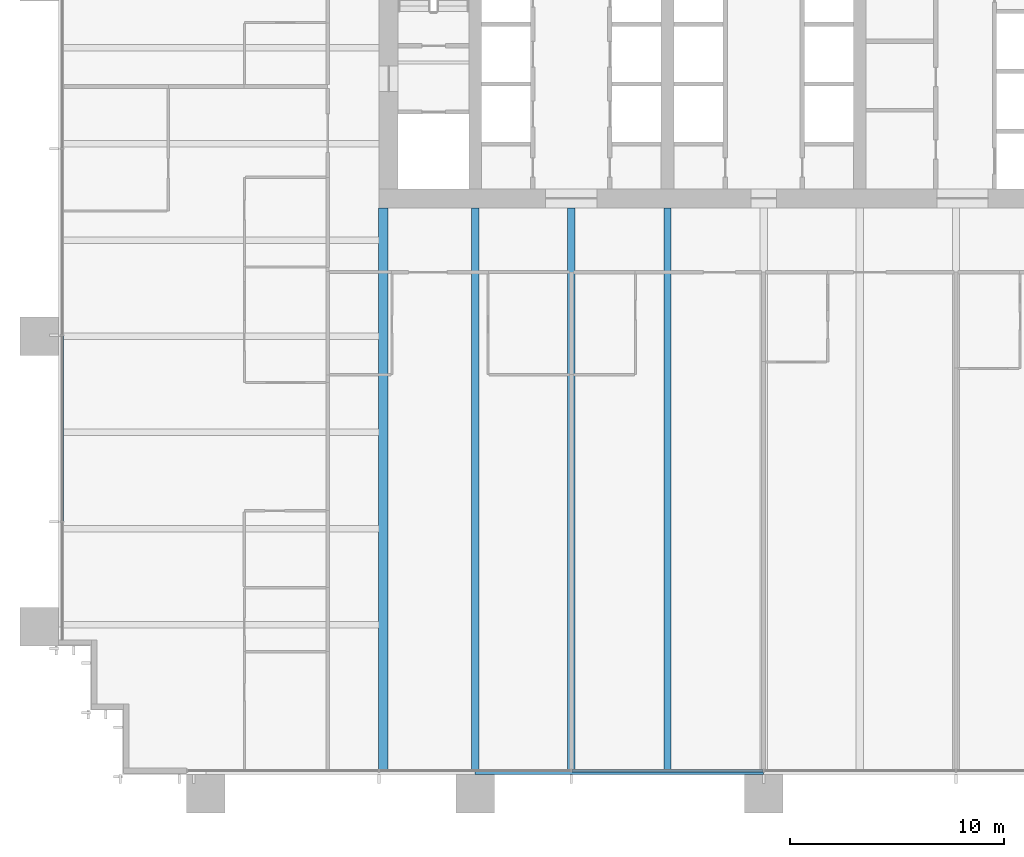
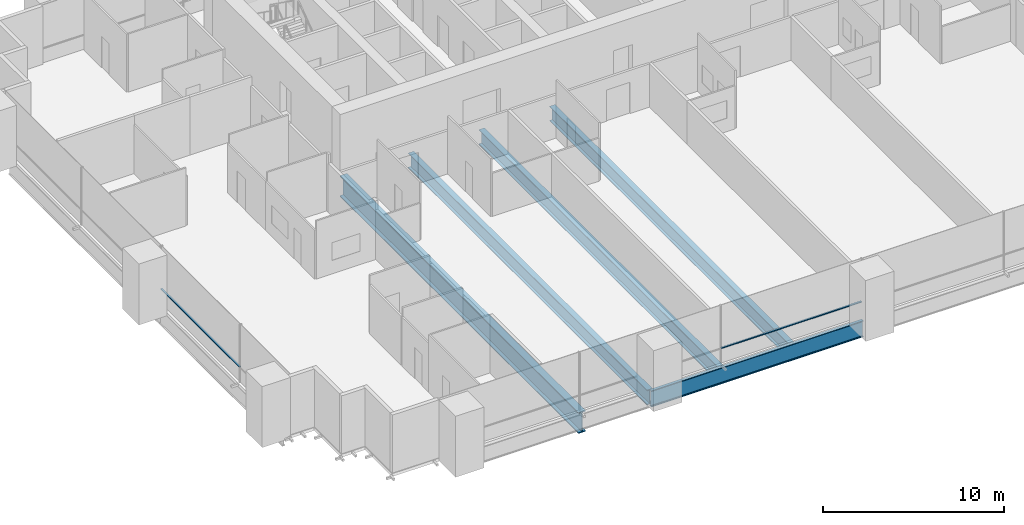
# One storey, part 3 of 18: 5 beams, 2 members, 2 elements without a shape of their own.
"""IFC4 building model written with IfcOpenShell, lengths in metres."""

from ifc_helpers import new_model, si_unit, direction, frame, origin, origin_2d, place, context, subcontext, project, spatial, rectangle, i_section, extrude, material, material_profile, profile_set, type_object, element, aggregate, save


model = new_model("IFC4")

# Units and contexts
model_context = context("Model", 3, precision=1e-05, world=origin(), true_north=direction((0.0, 1.0)))
body_context = subcontext(model_context, "Body", "Model", "MODEL_VIEW")
ifc_project = project(units=[si_unit("LENGTHUNIT", "METRE"), si_unit("AREAUNIT", "SQUARE_METRE"), si_unit("VOLUMEUNIT", "CUBIC_METRE"), si_unit("PLANEANGLEUNIT", "RADIAN"), si_unit("MASSUNIT", "GRAM", prefix="KILO")], contexts=[model_context])

# Site, building, storey
site_placement = place(None, origin())
site = spatial("IfcSite", under=ifc_project, at=site_placement, CompositionType="ELEMENT")
building_placement = place(site_placement, origin())
building = spatial("IfcBuilding", under=site, at=building_placement, Name="Rattan Terrace Tower", CompositionType="ELEMENT")
storey_placement = place(building_placement, frame((0.0, 0.0, 36.5)))
storey = spatial("IfcBuildingStorey", under=building, at=storey_placement, Name="L07", CompositionType="ELEMENT", Elevation=36.5)

# Curtain wall, member
ifc_material_1 = material(Name="Aluminium and glass", Category="aluminium")
curtain_wall_type = type_object("IfcCurtainWallType", Name="Facade Unitised Curtain Wall", PredefinedType="NOTDEFINED", material=ifc_material_1)
curtain_wall_1_placement = place(storey_placement, origin())
curtain_wall_1 = element("IfcCurtainWall", 1, at=curtain_wall_1_placement, inside=storey, type_object=curtain_wall_type, Name="Curtain wall L07-3", PredefinedType="NOTDEFINED")
ifc_material_2 = material(Name="Aluminium", Category="aluminium")
ifc_material_profile_1 = material_profile(ifc_material_2, rectangle(XDim=0.1201171875, YDim=0.06005859375, at=origin_2d()), Name="Aluminium 120x60")
ifc_profile_set_1 = profile_set([ifc_material_profile_1], Name="Aluminium")
member_type = type_object("IfcMemberType", Name="Facade CW Transom 120x60", PredefinedType="USERDEFINED", material=ifc_profile_set_1)
member_1_placement = place(storey_placement, frame((-32.830078125, -13.48388671875, 1.0), z_axis=(0.0, -1.0, 0.0), x_axis=(1.0, 0.0, 0.0)))
member_1 = element("IfcMember", 2, at=member_1_placement, type_object=member_type, Name="Transom cwl-L07-003.3", ObjectType="TRANSOM", PredefinedType="USERDEFINED", context=body_context, shape_type="SweptSolid", body=[
    extrude(rectangle(XDim=0.1201171875, YDim=0.06005859375, at=origin_2d()), origin(), (0.0, 0.0, 1.0), 8.6669921875),
])
aggregate(curtain_wall_1, [member_1])

curtain_wall_2_placement = place(storey_placement, origin())
curtain_wall_2 = element("IfcCurtainWall", 3, at=curtain_wall_2_placement, inside=storey, type_object=curtain_wall_type, Name="Curtain wall L07-4", PredefinedType="NOTDEFINED")
member_2_placement = place(storey_placement, frame((-8.969970703125, -33.830078125, 1.0), z_axis=(1.0, 0.0, 0.0), x_axis=(0.0, 1.0, 0.0)))
member_2 = element("IfcMember", 4, at=member_2_placement, type_object=member_type, Name="Transom cwl-L07-004.3", ObjectType="TRANSOM", PredefinedType="USERDEFINED", context=body_context, shape_type="SweptSolid", body=[
    extrude(rectangle(XDim=0.1201171875, YDim=0.06005859375, at=origin_2d()), origin(), (0.0, 0.0, 1.0), 8.93994140625),
])
aggregate(curtain_wall_2, [member_2])

# Beams
ifc_material_3 = material(Name="Steel S460", Category="steel")
ifc_material_profile_2 = material_profile(ifc_material_3, i_section(OverallWidth=0.449951171875, OverallDepth=1.39990234375, WebThickness=0.02197265625, FlangeThickness=0.054931640625, at=origin_2d()), Name="PG 1400x450-22-55")
ifc_profile_set_2 = profile_set([ifc_material_profile_2], Name="Steel S460")
beam_type_1 = type_object("IfcBeamType", Name="Frame core girder PG 1400x450-22-55", PredefinedType="BEAM", material=ifc_profile_set_2)
beam_1_placement = place(storey_placement, frame((-17.800048828125, -33.820068359375, -0.89990234375), z_axis=(0.0, 1.0, 0.0), x_axis=(-1.0, 0.0, 0.0)))
element("IfcBeam", 5, at=beam_1_placement, inside=storey, type_object=beam_type_1, Name="gdr-L07-013", PredefinedType="BEAM", context=body_context, shape_type="SweptSolid", body=[
    extrude(i_section(OverallWidth=0.449951171875, OverallDepth=1.39990234375, WebThickness=0.02197265625, FlangeThickness=0.054931640625, at=origin_2d()), origin(), (0.0, 0.0, 1.0), 26.320068359375),
])
ifc_material_4 = material(Name="Steel S460", Category="steel")
ifc_material_profile_3 = material_profile(ifc_material_4, i_section(OverallWidth=0.179931640625, OverallDepth=1.10009765625, WebThickness=0.01611328125, FlangeThickness=0.050048828125, at=origin_2d()), Name="PG 1100x180-16-50")
ifc_profile_set_3 = profile_set([ifc_material_profile_3], Name="Steel S460")
beam_type_2 = type_object("IfcBeamType", Name="Frame edge girder PG 1100x180-16-50", PredefinedType="SPANDREL", material=ifc_profile_set_3)
beam_2_placement = place(storey_placement, frame((-13.5, -33.909912109375, -0.75), z_axis=(1.0, 0.0, 0.0), x_axis=(0.0, 1.0, 0.0)))
element("IfcBeam", 6, at=beam_2_placement, inside=storey, type_object=beam_type_2, Name="gdr-L07-002", PredefinedType="SPANDREL", context=body_context, shape_type="SweptSolid", body=[
    extrude(i_section(OverallWidth=0.179931640625, OverallDepth=1.10009765625, WebThickness=0.01611328125, FlangeThickness=0.050048828125, at=origin_2d()), origin(), (0.0, 0.0, 1.0), 13.5),
])
ifc_material_5 = material(Name="Steel S460", Category="steel")
ifc_material_profile_4 = material_profile(ifc_material_5, i_section(OverallWidth=0.35009765625, OverallDepth=1.0, WebThickness=0.01611328125, FlangeThickness=0.044921875, at=origin_2d()), Name="PG 1000x350-16-45")
ifc_profile_set_4 = profile_set([ifc_material_profile_4], Name="Steel S460")
beam_type_3 = type_object("IfcBeamType", Name="Frame floor beam PG 1000x350-16-45", PredefinedType="JOIST", material=ifc_profile_set_4)
for number, where, z_axis, x_axis, name in (
    (7, (-13.5, -33.820068359375, -0.699951171875), (0.0, 1.0, 0.0), (-1.0, 0.0, 0.0), "bm-L07-003"),
    (8, (-9.0, -33.820068359375, -0.699951171875), (0.0, 1.0, 0.0), (-1.0, 0.0, 0.0), "bm-L07-004"),
    (9, (-4.5, -33.820068359375, -0.699951171875), (0.0, 1.0, 0.0), (-1.0, 0.0, 0.0), "bm-L07-005"),
):
    element("IfcBeam", number, at=place(storey_placement, frame(where, z_axis=z_axis, x_axis=x_axis)), inside=storey, type_object=beam_type_3, Name=name, PredefinedType="JOIST", context=body_context, shape_type="SweptSolid", body=[
        extrude(i_section(OverallWidth=0.35009765625, OverallDepth=1.0, WebThickness=0.01611328125, FlangeThickness=0.044921875, at=origin_2d()), origin(), (0.0, 0.0, 1.0), 26.320068359375),
    ])

save(model, "model.ifc")
